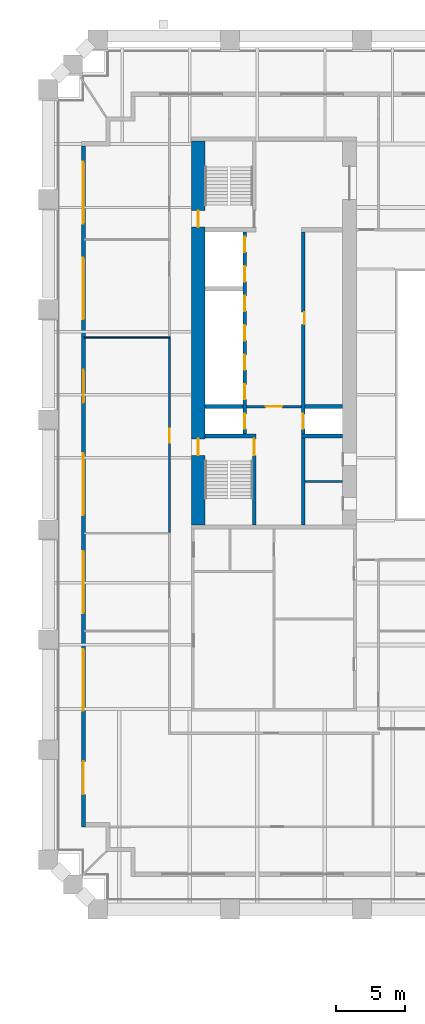
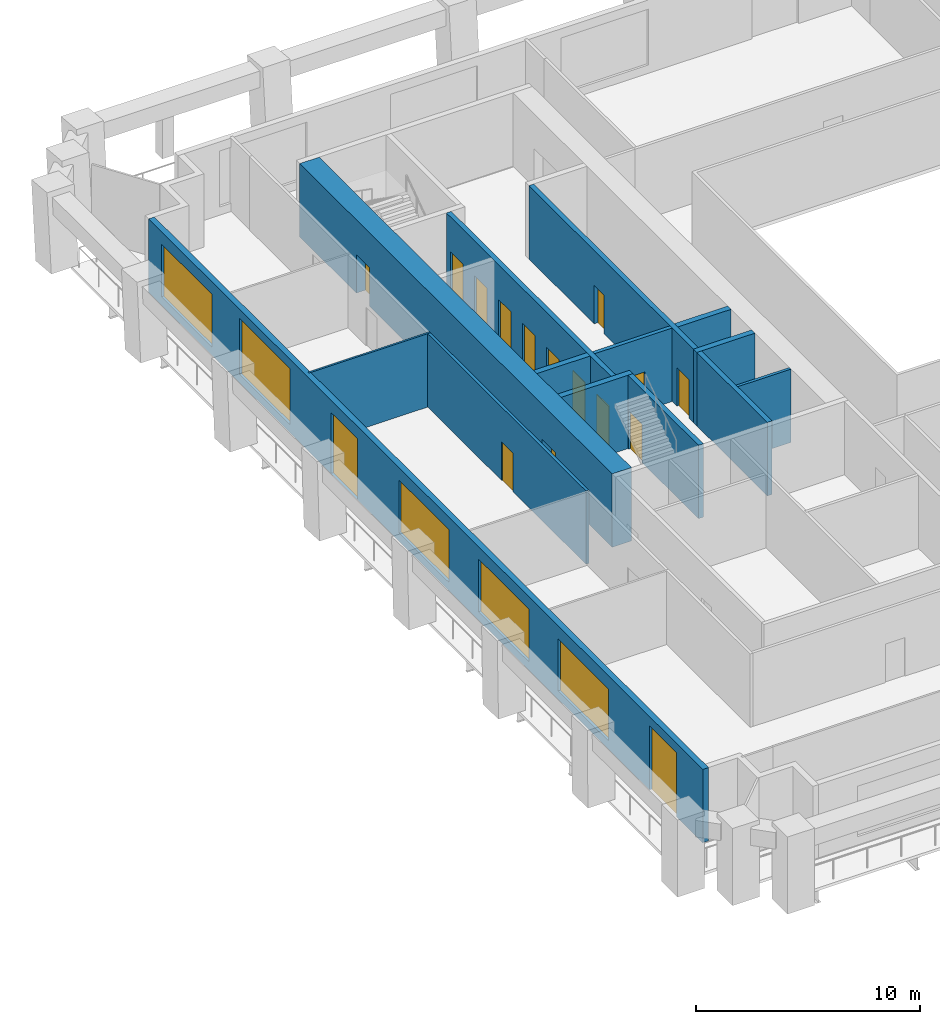
# One storey, part 4 of 10: 16 doors, 13 walls, 5 windows, 21 openings.
"""IFC4 building model written with IfcOpenShell, lengths in metres."""

import ifcopenshell
import ifcopenshell.guid

model = None  # the IFC model being written
_history = None  # IfcOwnerHistory: only IFC2X3 demands one
_inside = {}  # id of a spatial element -> (the spatial element, [elements in it])
_under = {}  # id of a project, library or spatial element -> (it, [spatial elements below it])
_declared = {}  # id of a project -> (the project, [libraries it declares])
_typed = {}  # id of a type object -> (the type object, [elements of that type])
_made_of = {}  # id of a material, layer set ... -> (it, [elements and type objects made of it])


def new_model(schema):
    """Start an empty IFC model of exactly this schema.

    Asked for "IFC4X3", IfcOpenShell would pick the latest addendum, in which some entities
    have other attributes; the version numbers below select the first issue.
    IFC2X3 requires an IfcOwnerHistory on every rooted entity: one is made here for all.
    """
    global model, _history
    if schema == "IFC4X3":
        model = ifcopenshell.file(schema_version=(4, 3, 0, 0))
    else:
        model = ifcopenshell.file(schema=schema)
    _inside.clear()
    _under.clear()
    _declared.clear()
    _typed.clear()
    _made_of.clear()
    _history = None
    if model.schema == "IFC2X3":
        org = make("IfcOrganization", Name="unknown")
        user = make(
            "IfcPersonAndOrganization",
            ThePerson=make("IfcPerson", FamilyName="unknown"),
            TheOrganization=org,
        )
        app = make(
            "IfcApplication",
            ApplicationDeveloper=org,
            Version="unknown",
            ApplicationFullName="unknown",
            ApplicationIdentifier="unknown",
        )
        _history = make(
            "IfcOwnerHistory",
            OwningUser=user,
            OwningApplication=app,
            ChangeAction="ADDED",
            CreationDate=0,
        )
    return model


def make(cls, **values):
    """One entity of the class cls with the attributes given. An attribute that is None is left unset."""
    return model.create_entity(
        cls, **{name: value for name, value in values.items() if value is not None}
    )


def rooted(cls, **values):
    """An entity with a GlobalId (a new one), such as an element, a storey or a relation."""
    return make(cls, GlobalId=ifcopenshell.guid.new(), OwnerHistory=_history, **values)


def si_unit(unit_type, name, prefix=None):
    """IfcSIUnit, for example si_unit("LENGTHUNIT", "METRE", prefix="MILLI")."""
    return make("IfcSIUnit", UnitType=unit_type, Prefix=prefix, Name=name)


def assignment(units):
    """IfcUnitAssignment: the units of a project."""
    return None if units is None else make("IfcUnitAssignment", Units=units)


def point(xyz):
    """IfcCartesianPoint."""
    return None if xyz is None else make("IfcCartesianPoint", Coordinates=xyz)


def direction(xyz):
    """IfcDirection."""
    return None if xyz is None else make("IfcDirection", DirectionRatios=xyz)


def frame(location, z_axis=None, x_axis=None):
    """IfcAxis2Placement3D, a coordinate frame: its origin and axes. An axis left out is left unset."""
    return make(
        "IfcAxis2Placement3D",
        Location=point(location),
        Axis=direction(z_axis),
        RefDirection=direction(x_axis),
    )


def frame_2d(location, x_axis=None):
    """IfcAxis2Placement2D, a coordinate frame in the plane: its origin and x axis."""
    return make(
        "IfcAxis2Placement2D", Location=point(location), RefDirection=direction(x_axis)
    )


def origin():
    """The frame at (0, 0, 0) with its axes left unset."""
    return frame((0.0, 0.0, 0.0))


def place(relative_to, where):
    """IfcLocalPlacement: puts the frame where relative to a parent placement (None: the world)."""
    return make(
        "IfcLocalPlacement", PlacementRelTo=relative_to, RelativePlacement=where
    )


def context(
    kind, dimensions, precision=None, world=None, true_north=None, identifier=None
):
    """IfcGeometricRepresentationContext, for example the 3D "Model" context."""
    return make(
        "IfcGeometricRepresentationContext",
        ContextIdentifier=identifier,
        ContextType=kind,
        CoordinateSpaceDimension=dimensions,
        Precision=precision,
        WorldCoordinateSystem=world,
        TrueNorth=true_north,
    )


def subcontext(parent, identifier, kind, view, scale=None):
    """IfcGeometricRepresentationSubContext, for example "Body" below "Model"."""
    return make(
        "IfcGeometricRepresentationSubContext",
        ContextIdentifier=identifier,
        ContextType=kind,
        ParentContext=parent,
        TargetScale=scale,
        TargetView=view,
    )


def project(units=None, contexts=None):
    """IfcProject with its units and contexts."""
    return rooted(
        "IfcProject",
        Name="project",
        RepresentationContexts=contexts,
        UnitsInContext=assignment(units),
    )


def spatial(cls, under=None, at=None, **own):
    """A site, building, storey or space (cls), placed at a placement, below another one or the project."""
    s = rooted(cls, ObjectPlacement=at, **own)
    if under is not None:
        _under.setdefault(under.id(), (under, []))[1].append(s)
    return s


def profile(cls, at=None, kind="AREA", **sizes):
    """A parametric profile (cls). Its sizes go by their IFC names, for example OverallWidth=200.0."""
    return make(cls, ProfileType=kind, Position=at, **sizes)


def rectangle(**sizes):
    """IfcRectangleProfileDef."""
    return profile("IfcRectangleProfileDef", **sizes)


def extrude(swept, where, along, depth):
    """IfcExtrudedAreaSolid: the profile swept, set in the frame where, extruded along a direction by depth."""
    return make(
        "IfcExtrudedAreaSolid",
        SweptArea=swept,
        Position=where,
        ExtrudedDirection=direction(along),
        Depth=depth,
    )


def shape(context_of_items, identifier, shape_type, items):
    """IfcShapeRepresentation: the items that make up one representation, for example the "Body"."""
    return make(
        "IfcShapeRepresentation",
        ContextOfItems=context_of_items,
        RepresentationIdentifier=identifier,
        RepresentationType=shape_type,
        Items=items,
    )


def material(Name=None, Category=None):
    """IfcMaterial."""
    return make("IfcMaterial", Name=Name, Category=Category)


def layer(
    of_material, thickness, ventilated=None, Name=None, Category=None, Priority=None
):
    """IfcMaterialLayer: one layer of a wall or slab, of a material (None: an air gap)."""
    return make(
        "IfcMaterialLayer",
        Material=of_material,
        LayerThickness=thickness,
        IsVentilated=ventilated,
        Name=Name,
        Category=Category,
        Priority=Priority,
    )


def layer_set(layers, Name=None):
    """IfcMaterialLayerSet."""
    return make("IfcMaterialLayerSet", MaterialLayers=layers, LayerSetName=Name)


def made_of(thing, what):
    """Note that an element or type object is made of a material, layer set ...; save() writes the relation."""
    if what is not None:
        _made_of.setdefault(what.id(), (what, []))[1].append(thing)
    return thing


def type_object(cls, material=None, **own):
    """A type object (cls), such as IfcWallType, which elements share."""
    return made_of(rooted(cls, **own), material)


def element(
    cls,
    number,
    at=None,
    inside=None,
    cuts=None,
    type_object=None,
    material=None,
    context=None,
    identifier="Body",
    shape_type=None,
    held_by="IfcProductDefinitionShape",
    body=None,
    shapes=None,
    **own,
):
    """One element of the class cls, such as IfcWall. Its Tag is "e" and its number.

    at: its placement. inside: the storey or other place that contains it. cuts: it is an
    opening in that element (IfcRelVoidsElement). A single representation is given by context,
    identifier, shape_type and body (its items); several are given by shapes. held_by: the class
    of the entity that holds the representations. save() writes the other relations.
    """
    e = rooted(cls, Tag="e%d" % number, ObjectPlacement=at, **own)
    if body is not None:
        shapes = [shape(context, identifier, shape_type, body)]
    if shapes is not None:
        e.Representation = make(held_by, Representations=shapes)
    if inside is not None:
        _inside.setdefault(inside.id(), (inside, []))[1].append(e)
    if cuts is not None:
        rooted(
            "IfcRelVoidsElement", RelatingBuildingElement=cuts, RelatedOpeningElement=e
        )
    if type_object is not None:
        _typed.setdefault(type_object.id(), (type_object, []))[1].append(e)
    return made_of(e, material)


def fill(opening, filler):
    """IfcRelFillsElement: the door or window that sits in an opening."""
    return rooted(
        "IfcRelFillsElement",
        RelatingOpeningElement=opening,
        RelatedBuildingElement=filler,
    )


def aggregate(whole, parts):
    """IfcRelAggregates: a whole, such as a stair, and the parts it consists of."""
    return rooted("IfcRelAggregates", RelatingObject=whole, RelatedObjects=parts)


def save(model, path):
    """Write the relations noted so far, then the file.

    IfcRelAggregates (storeys below a building ...), IfcRelContainedInSpatialStructure (elements
    in a storey), IfcRelDefinesByType, IfcRelAssociatesMaterial and IfcRelDeclares: one each for
    every whole, place, type object, material and project.
    """
    for whole, parts in _under.values():
        aggregate(whole, parts)
    for where, things in _inside.values():
        rooted(
            "IfcRelContainedInSpatialStructure",
            RelatedElements=things,
            RelatingStructure=where,
        )
    for kind, things in _typed.values():
        rooted("IfcRelDefinesByType", RelatedObjects=things, RelatingType=kind)
    for what, things in _made_of.values():
        rooted("IfcRelAssociatesMaterial", RelatedObjects=things, RelatingMaterial=what)
    for by, libraries in _declared.values():
        rooted("IfcRelDeclares", RelatingContext=by, RelatedDefinitions=libraries)
    model.write(path)


model = new_model("IFC4")

# Units and contexts
model_context = context("Model", 3, precision=1e-05, world=origin(), true_north=direction((0.0, 1.0)))
body_context = subcontext(model_context, "Body", "Model", "MODEL_VIEW")
ifc_project = project(units=[si_unit("LENGTHUNIT", "METRE"), si_unit("AREAUNIT", "SQUARE_METRE"), si_unit("VOLUMEUNIT", "CUBIC_METRE"), si_unit("PLANEANGLEUNIT", "RADIAN"), si_unit("MASSUNIT", "GRAM", prefix="KILO")], contexts=[model_context])

# Site, building, storey
site_placement = place(None, origin())
site = spatial("IfcSite", under=ifc_project, at=site_placement, CompositionType="ELEMENT")
building_placement = place(site_placement, origin())
building = spatial("IfcBuilding", under=site, at=building_placement, Name="Ogive Exchange Tower", CompositionType="ELEMENT")
storey_placement = place(building_placement, frame((0.0, 0.0, 48.0)))
storey = spatial("IfcBuildingStorey", under=building, at=storey_placement, Name="L09", CompositionType="ELEMENT", Elevation=48.0)

# Wall
ifc_material_1 = material(Name="Gypsum board partition")
ifc_layer_1 = layer(ifc_material_1, 0.14990234375)
ifc_layer_set_1 = layer_set([ifc_layer_1], Name="Core room partition 150 gypsum")
wall_type_1 = type_object("IfcWallType", Name="Core room partition 150 gypsum", PredefinedType="PARTITIONING", material=ifc_layer_set_1)
wall_1_placement = place(storey_placement, frame((-13.75, 0.699951171875, 0.0), z_axis=(0.0, 0.0, 1.0), x_axis=(1.0, 0.0, 0.0)))
element("IfcWall", 1, at=wall_1_placement, inside=storey, type_object=wall_type_1, Name="W south room partition", PredefinedType="PARTITIONING", context=body_context, shape_type="SweptSolid", body=[
    extrude(rectangle(XDim=2.75, YDim=0.14990234375, at=frame_2d((1.375, 0.0))), origin(), (0.0, 0.0, 1.0), 4.0),
])

# Wall, opening, door
ifc_material_2 = material(Name="Fire partition EI 60 150")
ifc_layer_2 = layer(ifc_material_2, 0.14990234375)
ifc_layer_set_2 = layer_set([ifc_layer_2], Name="Fire partition EI 60 150")
wall_type_2 = type_object("IfcWallType", Name="Fire partition EI 60 150", PredefinedType="PARTITIONING", material=ifc_layer_set_2)
wall_2_placement = place(storey_placement, frame((-23.60009765625, -3.010009765625, 0.0), z_axis=(0.0, 0.0, 1.0), x_axis=(0.0, 1.0, 0.0)))
wall_2 = element("IfcWall", 2, at=wall_2_placement, inside=storey, type_object=wall_type_2, Name="L09-PWL-009", PredefinedType="PARTITIONING", context=body_context, shape_type="SweptSolid", body=[
    extrude(rectangle(XDim=14.130126953125, YDim=0.14990234375, at=frame_2d((7.06494140625, 0.0))), origin(), (0.0, 0.0, 1.0), 4.0),
])
opening_1_placement = place(wall_2_placement, frame((6.530029296875, 0.0, 0.0)))
opening_1 = element("IfcOpeningElement", 3, at=opening_1_placement, cuts=wall_2, Name="Opening L09-I03", PredefinedType="OPENING", context=body_context, shape_type="SweptSolid", body=[
    extrude(rectangle(XDim=1.0, YDim=2.10009765625, at=frame_2d((0.5, 1.050048828125))), frame((0.0, 0.0849609375, 0.0), z_axis=(0.0, -1.0, 0.0), x_axis=(1.0, 0.0, 0.0)), (0.0, 0.0, 1.0), 0.169921875),
])
ifc_material_3 = material(Name="Fire door FD 30S 1000 x 2100")
door_type_1 = type_object("IfcDoorType", Name="Fire door FD 30S 1000 x 2100", OperationType="NOTDEFINED", PredefinedType="DOOR", material=ifc_material_3)
door_1_placement = place(opening_1_placement, origin())
door_1 = element("IfcDoor", 4, at=door_1_placement, inside=storey, type_object=door_type_1, Name="L09-IDR-003", ObjectType="DT3", OperationType="SINGLE_SWING_RIGHT", OverallHeight=2.10009765625, OverallWidth=1.0, PredefinedType="DOOR", context=body_context, shape_type="SweptSolid", body=[
    extrude(rectangle(XDim=1.0, YDim=2.10009765625, at=frame_2d((0.5, 1.050048828125))), frame((0.0, 0.02490234375, 0.0), z_axis=(0.0, -1.0, 0.0), x_axis=(1.0, 0.0, 0.0)), (0.0, 0.0, 1.0), 0.050048828125),
])
fill(opening_1, door_1)

# Wall, openings, doors, windows
ifc_material_4 = material(Name="Precast concrete C40/50", Category="concrete")
ifc_layer_3 = layer(ifc_material_4, 0.300048828125)
ifc_layer_set_3 = layer_set([ifc_layer_3], Name="Limestone-faced wall 300")
wall_type_3 = type_object("IfcWallType", Name="Limestone-faced wall 300", PredefinedType="STANDARD", material=ifc_layer_set_3)
wall_3_placement = place(storey_placement, frame((-29.85009765625, 25.10009765625, 0.0), z_axis=(0.0, 0.0, 1.0), x_axis=(0.0, -1.0, 0.0)))
wall_3 = element("IfcWall", 5, at=wall_3_placement, inside=storey, type_object=wall_type_3, Name="External wall W4", PredefinedType="STANDARD", context=body_context, shape_type="SweptSolid", body=[
    extrude(rectangle(XDim=49.5, YDim=0.300048828125, at=frame_2d((24.75, 0.0))), origin(), (0.0, 0.0, 1.0), 4.0),
])
opening_2_placement = place(wall_3_placement, frame((1.156982421875, 0.0, 0.449951171875)))
opening_2 = element("IfcOpeningElement", 6, at=opening_2_placement, cuts=wall_3, Name="Opening W1D", PredefinedType="OPENING", context=body_context, shape_type="SweptSolid", body=[
    extrude(rectangle(XDim=4.5, YDim=2.875, at=frame_2d((2.25, 1.4375))), frame((0.0, 0.159912109375, 0.0), z_axis=(0.0, -1.0, 0.0), x_axis=(1.0, 0.0, 0.0)), (0.0, 0.0, 1.0), 0.320068359375),
])
opening_3_placement = place(wall_3_placement, frame((8.121337890625, 0.0, 0.449951171875)))
opening_3 = element("IfcOpeningElement", 7, at=opening_3_placement, cuts=wall_3, Name="Opening W1", PredefinedType="OPENING", context=body_context, shape_type="SweptSolid", body=[
    extrude(rectangle(XDim=4.5, YDim=3.050048828125, at=frame_2d((2.25, 1.52490234375))), frame((0.0, 0.159912109375, 0.0), z_axis=(0.0, -1.0, 0.0), x_axis=(1.0, 0.0, 0.0)), (0.0, 0.0, 1.0), 0.320068359375),
])
opening_4_placement = place(wall_3_placement, frame((16.28564453125, 0.0, 0.0)))
opening_4 = element("IfcOpeningElement", 8, at=opening_4_placement, cuts=wall_3, Name="Opening D1C", PredefinedType="OPENING", context=body_context, shape_type="SweptSolid", body=[
    extrude(rectangle(XDim=2.39990234375, YDim=3.324951171875, at=frame_2d((1.199951171875, 1.66259765625))), frame((0.0, 0.159912109375, 0.0), z_axis=(0.0, -1.0, 0.0), x_axis=(1.0, 0.0, 0.0)), (0.0, 0.0, 1.0), 0.320068359375),
])
opening_5_placement = place(wall_3_placement, frame((22.35009765625, 0.0, 0.449951171875)))
opening_5 = element("IfcOpeningElement", 9, at=opening_5_placement, cuts=wall_3, Name="Opening W1D", PredefinedType="OPENING", context=body_context, shape_type="SweptSolid", body=[
    extrude(rectangle(XDim=4.5, YDim=2.875, at=frame_2d((2.25, 1.4375))), frame((0.0, 0.159912109375, 0.0), z_axis=(0.0, -1.0, 0.0), x_axis=(1.0, 0.0, 0.0)), (0.0, 0.0, 1.0), 0.320068359375),
])
opening_6_placement = place(wall_3_placement, frame((29.464111328125, 0.0, 0.449951171875)))
opening_6 = element("IfcOpeningElement", 10, at=opening_6_placement, cuts=wall_3, Name="Opening W1D", PredefinedType="OPENING", context=body_context, shape_type="SweptSolid", body=[
    extrude(rectangle(XDim=4.5, YDim=2.875, at=frame_2d((2.25, 1.4375))), frame((0.0, 0.159912109375, 0.0), z_axis=(0.0, -1.0, 0.0), x_axis=(1.0, 0.0, 0.0)), (0.0, 0.0, 1.0), 0.320068359375),
])
opening_7_placement = place(wall_3_placement, frame((36.57861328125, 0.0, 0.449951171875)))
opening_7 = element("IfcOpeningElement", 11, at=opening_7_placement, cuts=wall_3, Name="Opening W1E", PredefinedType="OPENING", context=body_context, shape_type="SweptSolid", body=[
    extrude(rectangle(XDim=4.5, YDim=2.824951171875, at=frame_2d((2.25, 1.41259765625))), frame((0.0, 0.159912109375, 0.0), z_axis=(0.0, -1.0, 0.0), x_axis=(1.0, 0.0, 0.0)), (0.0, 0.0, 1.0), 0.320068359375),
])
opening_8_placement = place(wall_3_placement, frame((44.742919921875, 0.0, 0.0)))
opening_8 = element("IfcOpeningElement", 12, at=opening_8_placement, cuts=wall_3, Name="Opening D1", PredefinedType="OPENING", context=body_context, shape_type="SweptSolid", body=[
    extrude(rectangle(XDim=2.39990234375, YDim=3.5, at=frame_2d((1.199951171875, 1.75))), frame((0.0, 0.159912109375, 0.0), z_axis=(0.0, -1.0, 0.0), x_axis=(1.0, 0.0, 0.0)), (0.0, 0.0, 1.0), 0.320068359375),
])
ifc_material_5 = material(Name="Clear glass in bronze frame", Category="glass")
door_type_2 = type_object("IfcDoorType", Name="Sliding loggia door 2400 x 3325", OperationType="DOUBLE_DOOR_SLIDING", PredefinedType="DOOR", material=ifc_material_5)
door_2_placement = place(opening_4_placement, origin())
door_2 = element("IfcDoor", 13, at=door_2_placement, inside=storey, type_object=door_type_2, Name="Loggia door W02", OperationType="DOUBLE_DOOR_SLIDING", OverallHeight=3.324951171875, OverallWidth=2.39990234375, PredefinedType="DOOR", context=body_context, shape_type="SweptSolid", body=[
    extrude(rectangle(XDim=2.39990234375, YDim=3.324951171875, at=frame_2d((1.199951171875, 1.66259765625))), frame((0.0, 0.02490234375, 0.0), z_axis=(0.0, -1.0, 0.0), x_axis=(1.0, 0.0, 0.0)), (0.0, 0.0, 1.0), 0.050048828125),
])
fill(opening_4, door_2)
door_type_3 = type_object("IfcDoorType", Name="Sliding loggia door 2400 x 3500", OperationType="DOUBLE_DOOR_SLIDING", PredefinedType="DOOR", material=ifc_material_5)
door_3_placement = place(opening_8_placement, origin())
door_3 = element("IfcDoor", 14, at=door_3_placement, inside=storey, type_object=door_type_3, Name="Loggia door W06", OperationType="DOUBLE_DOOR_SLIDING", OverallHeight=3.5, OverallWidth=2.39990234375, PredefinedType="DOOR", context=body_context, shape_type="SweptSolid", body=[
    extrude(rectangle(XDim=2.39990234375, YDim=3.5, at=frame_2d((1.199951171875, 1.75))), frame((0.0, 0.02490234375, 0.0), z_axis=(0.0, -1.0, 0.0), x_axis=(1.0, 0.0, 0.0)), (0.0, 0.0, 1.0), 0.050048828125),
])
fill(opening_8, door_3)
window_type_1 = type_object("IfcWindowType", Name="Twin lancet window 4500 x 2825", PartitioningType="DOUBLE_PANEL_VERTICAL", PredefinedType="WINDOW", material=ifc_material_5)
window_1_placement = place(opening_7_placement, origin())
window_1 = element("IfcWindow", 15, at=window_1_placement, inside=storey, type_object=window_type_1, Name="Window W05", OverallHeight=2.824951171875, OverallWidth=4.5, PartitioningType="DOUBLE_PANEL_VERTICAL", PredefinedType="WINDOW", context=body_context, shape_type="SweptSolid", body=[
    extrude(rectangle(XDim=4.5, YDim=2.824951171875, at=frame_2d((2.25, 1.41259765625))), frame((0.0, 0.030029296875, 0.0), z_axis=(0.0, -1.0, 0.0), x_axis=(1.0, 0.0, 0.0)), (0.0, 0.0, 1.0), 0.06005859375),
])
fill(opening_7, window_1)
window_type_2 = type_object("IfcWindowType", Name="Twin lancet window 4500 x 2875", PartitioningType="DOUBLE_PANEL_VERTICAL", PredefinedType="WINDOW", material=ifc_material_5)
window_2_placement = place(opening_2_placement, origin())
window_2 = element("IfcWindow", 16, at=window_2_placement, inside=storey, type_object=window_type_2, Name="Window W00", OverallHeight=2.875, OverallWidth=4.5, PartitioningType="DOUBLE_PANEL_VERTICAL", PredefinedType="WINDOW", context=body_context, shape_type="SweptSolid", body=[
    extrude(rectangle(XDim=4.5, YDim=2.875, at=frame_2d((2.25, 1.4375))), frame((0.0, 0.030029296875, 0.0), z_axis=(0.0, -1.0, 0.0), x_axis=(1.0, 0.0, 0.0)), (0.0, 0.0, 1.0), 0.06005859375),
])
fill(opening_2, window_2)
window_3_placement = place(opening_5_placement, origin())
window_3 = element("IfcWindow", 17, at=window_3_placement, inside=storey, type_object=window_type_2, Name="Window W03", OverallHeight=2.875, OverallWidth=4.5, PartitioningType="DOUBLE_PANEL_VERTICAL", PredefinedType="WINDOW", context=body_context, shape_type="SweptSolid", body=[
    extrude(rectangle(XDim=4.5, YDim=2.875, at=frame_2d((2.25, 1.4375))), frame((0.0, 0.030029296875, 0.0), z_axis=(0.0, -1.0, 0.0), x_axis=(1.0, 0.0, 0.0)), (0.0, 0.0, 1.0), 0.06005859375),
])
fill(opening_5, window_3)
window_4_placement = place(opening_6_placement, origin())
window_4 = element("IfcWindow", 18, at=window_4_placement, inside=storey, type_object=window_type_2, Name="Window W04", OverallHeight=2.875, OverallWidth=4.5, PartitioningType="DOUBLE_PANEL_VERTICAL", PredefinedType="WINDOW", context=body_context, shape_type="SweptSolid", body=[
    extrude(rectangle(XDim=4.5, YDim=2.875, at=frame_2d((2.25, 1.4375))), frame((0.0, 0.030029296875, 0.0), z_axis=(0.0, -1.0, 0.0), x_axis=(1.0, 0.0, 0.0)), (0.0, 0.0, 1.0), 0.06005859375),
])
fill(opening_6, window_4)
window_type_3 = type_object("IfcWindowType", Name="Twin lancet window 4500 x 3050", PartitioningType="DOUBLE_PANEL_VERTICAL", PredefinedType="WINDOW", material=ifc_material_5)
window_5_placement = place(opening_3_placement, origin())
window_5 = element("IfcWindow", 19, at=window_5_placement, inside=storey, type_object=window_type_3, Name="Window W01", OverallHeight=3.050048828125, OverallWidth=4.5, PartitioningType="DOUBLE_PANEL_VERTICAL", PredefinedType="WINDOW", context=body_context, shape_type="SweptSolid", body=[
    extrude(rectangle(XDim=4.5, YDim=3.050048828125, at=frame_2d((2.25, 1.52490234375))), frame((0.0, 0.030029296875, 0.0), z_axis=(0.0, -1.0, 0.0), x_axis=(1.0, 0.0, 0.0)), (0.0, 0.0, 1.0), 0.06005859375),
])
fill(opening_3, window_5)

# Wall
ifc_material_6 = material(Name="Partition 100 gypsum")
ifc_layer_4 = layer(ifc_material_6, 0.10009765625)
ifc_layer_set_4 = layer_set([ifc_layer_4], Name="Partition 100 gypsum")
wall_type_4 = type_object("IfcWallType", Name="Partition 100 gypsum", PredefinedType="PARTITIONING", material=ifc_layer_set_4)
wall_4_placement = place(storey_placement, frame((-29.800048828125, 11.169921875, 0.0), z_axis=(0.0, 0.0, 1.0), x_axis=(1.0, 0.0, 0.0)))
element("IfcWall", 20, at=wall_4_placement, inside=storey, type_object=wall_type_4, Name="L09-PWL-002", PredefinedType="PARTITIONING", context=body_context, shape_type="SweptSolid", body=[
    extrude(rectangle(XDim=6.275146484375, YDim=0.10009765625, at=frame_2d((3.1376953125, 0.0))), origin(), (0.0, 0.0, 1.0), 4.0),
])

# Wall, openings, doors
ifc_material_7 = material(Name="Concrete C70/85", Category="concrete")
ifc_layer_5 = layer(ifc_material_7, 1.0)
ifc_layer_set_5 = layer_set([ifc_layer_5], Name="RC core wall 1000 C70/85")
wall_type_5 = type_object("IfcWallType", Name="RC core wall 1000 C70/85", PredefinedType="SHEAR", material=ifc_layer_set_5)
wall_5_placement = place(storey_placement, frame((-21.5, -2.449951171875, 0.0), z_axis=(0.0, 0.0, 1.0), x_axis=(0.0, 1.0, 0.0)))
wall_5 = element("IfcWall", 21, at=wall_5_placement, inside=storey, type_object=wall_type_5, Name="W outer wall", PredefinedType="SHEAR", context=body_context, shape_type="SweptSolid", body=[
    extrude(rectangle(XDim=27.89990234375, YDim=1.0, at=frame_2d((13.949951171875, 0.0))), origin(), (0.0, 0.0, 1.0), 4.0),
])
opening_9_placement = place(wall_5_placement, frame((5.050048828125, 0.0, 0.0)))
opening_9 = element("IfcOpeningElement", 22, at=opening_9_placement, cuts=wall_5, Name="Opening L09-C13", PredefinedType="OPENING", context=body_context, shape_type="SweptSolid", body=[
    extrude(rectangle(XDim=1.199951171875, YDim=2.10009765625, at=frame_2d((0.60009765625, 1.050048828125))), frame((0.0, 0.510009765625, 0.0), z_axis=(0.0, -1.0, 0.0), x_axis=(1.0, 0.0, 0.0)), (0.0, 0.0, 1.0), 1.02001953125),
])
opening_10_placement = place(wall_5_placement, frame((21.64990234375, 0.0, 0.0)))
opening_10 = element("IfcOpeningElement", 23, at=opening_10_placement, cuts=wall_5, Name="Opening L09-C15", PredefinedType="OPENING", context=body_context, shape_type="SweptSolid", body=[
    extrude(rectangle(XDim=1.199951171875, YDim=2.10009765625, at=frame_2d((0.60009765625, 1.050048828125))), frame((0.0, 0.510009765625, 0.0), z_axis=(0.0, -1.0, 0.0), x_axis=(1.0, 0.0, 0.0)), (0.0, 0.0, 1.0), 1.02001953125),
])
ifc_material_8 = material(Name="Steel fire door", Category="steel")
door_type_4 = type_object("IfcDoorType", Name="Stair door FD90 1200 x 2100", OperationType="NOTDEFINED", PredefinedType="DOOR", material=ifc_material_8)
door_4_placement = place(opening_9_placement, frame((1.199951171875, 0.0, 0.0), z_axis=(0.0, 0.0, 1.0), x_axis=(-1.0, 0.0, 0.0)))
door_4 = element("IfcDoor", 24, at=door_4_placement, inside=storey, type_object=door_type_4, Name="Stair door", ObjectType="CD5", OperationType="SINGLE_SWING_RIGHT", OverallHeight=2.10009765625, OverallWidth=1.199951171875, PredefinedType="DOOR", context=body_context, shape_type="SweptSolid", body=[
    extrude(rectangle(XDim=1.199951171875, YDim=2.10009765625, at=frame_2d((0.60009765625, 1.050048828125))), frame((0.0, 0.02490234375, 0.0), z_axis=(0.0, -1.0, 0.0), x_axis=(1.0, 0.0, 0.0)), (0.0, 0.0, 1.0), 0.050048828125),
])
fill(opening_9, door_4)
door_5_placement = place(opening_10_placement, frame((1.199951171875, 0.0, 0.0), z_axis=(0.0, 0.0, 1.0), x_axis=(-1.0, 0.0, 0.0)))
door_5 = element("IfcDoor", 25, at=door_5_placement, inside=storey, type_object=door_type_4, Name="Stair door", ObjectType="CD5", OperationType="SINGLE_SWING_LEFT", OverallHeight=2.10009765625, OverallWidth=1.199951171875, PredefinedType="DOOR", context=body_context, shape_type="SweptSolid", body=[
    extrude(rectangle(XDim=1.199951171875, YDim=2.10009765625, at=frame_2d((0.60009765625, 1.050048828125))), frame((0.0, 0.02490234375, 0.0), z_axis=(0.0, -1.0, 0.0), x_axis=(1.0, 0.0, 0.0)), (0.0, 0.0, 1.0), 0.050048828125),
])
fill(opening_10, door_5)

# Wall, opening, door
ifc_layer_6 = layer(ifc_material_7, 0.199951171875)
ifc_layer_set_6 = layer_set([ifc_layer_6], Name="RC core wall 200 C70/85")
wall_type_6 = type_object("IfcWallType", Name="RC core wall 200 C70/85", PredefinedType="SHEAR", material=ifc_layer_set_6)
wall_6_placement = place(storey_placement, frame((-18.0, 6.142822265625, 0.0), z_axis=(0.0, 0.0, 1.0), x_axis=(1.0, 0.0, 0.0)))
wall_6 = element("IfcWall", 26, at=wall_6_placement, inside=storey, type_object=wall_type_6, Name="W firefighting lobby wall", PredefinedType="SHEAR", context=body_context, shape_type="SweptSolid", body=[
    extrude(rectangle(XDim=4.0, YDim=0.199951171875, at=frame_2d((2.0, 0.0))), origin(), (0.0, 0.0, 1.0), 4.0),
])
opening_11_placement = place(wall_6_placement, frame((1.39990234375, 0.0, 0.0)))
opening_11 = element("IfcOpeningElement", 27, at=opening_11_placement, cuts=wall_6, Name="Opening L09-C10", PredefinedType="OPENING", context=body_context, shape_type="SweptSolid", body=[
    extrude(rectangle(XDim=1.199951171875, YDim=2.10009765625, at=frame_2d((0.60009765625, 1.050048828125))), frame((0.0, 0.10986328125, 0.0), z_axis=(0.0, -1.0, 0.0), x_axis=(1.0, 0.0, 0.0)), (0.0, 0.0, 1.0), 0.219970703125),
])
door_type_5 = type_object("IfcDoorType", Name="Firefighting lobby door FD60 1200 x 2100", OperationType="NOTDEFINED", PredefinedType="DOOR", material=ifc_material_8)
door_6_placement = place(opening_11_placement, frame((1.199951171875, 0.0, 0.0), z_axis=(0.0, 0.0, 1.0), x_axis=(-1.0, 0.0, 0.0)))
door_6 = element("IfcDoor", 28, at=door_6_placement, inside=storey, type_object=door_type_5, Name="Firefighting lobby door", ObjectType="CD3", OperationType="SINGLE_SWING_RIGHT", OverallHeight=2.10009765625, OverallWidth=1.199951171875, PredefinedType="DOOR", context=body_context, shape_type="SweptSolid", body=[
    extrude(rectangle(XDim=1.199951171875, YDim=2.10009765625, at=frame_2d((0.60009765625, 1.050048828125))), frame((0.0, 0.02490234375, 0.0), z_axis=(0.0, -1.0, 0.0), x_axis=(1.0, 0.0, 0.0)), (0.0, 0.0, 1.0), 0.050048828125),
])
fill(opening_11, door_6)

ifc_layer_7 = layer(ifc_material_7, 0.25)
ifc_layer_set_7 = layer_set([ifc_layer_7], Name="RC core wall 250 C70/85")
wall_type_7 = type_object("IfcWallType", Name="RC core wall 250 C70/85", PredefinedType="SHEAR", material=ifc_layer_set_7)
wall_7_placement = place(storey_placement, frame((-17.425048828125, -2.449951171875, 0.0), z_axis=(0.0, 0.0, 1.0), x_axis=(0.0, 1.0, 0.0)))
wall_7 = element("IfcWall", 29, at=wall_7_placement, inside=storey, type_object=wall_type_7, Name="W stair S front wall", PredefinedType="SHEAR", context=body_context, shape_type="SweptSolid", body=[
    extrude(rectangle(XDim=6.300048828125, YDim=0.25, at=frame_2d((3.14990234375, 0.0))), origin(), (0.0, 0.0, 1.0), 4.0),
])
opening_12_placement = place(wall_7_placement, frame((5.050048828125, 0.0, 0.0)))
opening_12 = element("IfcOpeningElement", 30, at=opening_12_placement, cuts=wall_7, Name="Opening L09-C12", PredefinedType="OPENING", context=body_context, shape_type="SweptSolid", body=[
    extrude(rectangle(XDim=1.199951171875, YDim=2.10009765625, at=frame_2d((0.60009765625, 1.050048828125))), frame((0.0, 0.135009765625, 0.0), z_axis=(0.0, -1.0, 0.0), x_axis=(1.0, 0.0, 0.0)), (0.0, 0.0, 1.0), 0.27001953125),
])
door_7_placement = place(opening_12_placement, origin())
door_7 = element("IfcDoor", 31, at=door_7_placement, inside=storey, type_object=door_type_4, Name="Stair door", ObjectType="CD5", OperationType="SINGLE_SWING_LEFT", OverallHeight=2.10009765625, OverallWidth=1.199951171875, PredefinedType="DOOR", context=body_context, shape_type="SweptSolid", body=[
    extrude(rectangle(XDim=1.199951171875, YDim=2.10009765625, at=frame_2d((0.60009765625, 1.050048828125))), frame((0.0, 0.02490234375, 0.0), z_axis=(0.0, -1.0, 0.0), x_axis=(1.0, 0.0, 0.0)), (0.0, 0.0, 1.0), 0.050048828125),
])
fill(opening_12, door_7)

# Wall, openings, doors
wall_8_placement = place(storey_placement, frame((-18.125, 4.14990234375, 0.0), z_axis=(0.0, 0.0, 1.0), x_axis=(0.0, 1.0, 0.0)))
wall_8 = element("IfcWall", 32, at=wall_8_placement, inside=storey, type_object=wall_type_7, Name="W row A front wall", PredefinedType="SHEAR", context=body_context, shape_type="SweptSolid", body=[
    extrude(rectangle(XDim=14.7001953125, YDim=0.25, at=frame_2d((7.35009765625, 0.0))), origin(), (0.0, 0.0, 1.0), 4.0),
])
opening_13_placement = place(wall_8_placement, frame((0.371337890625, 0.0, 0.0)))
opening_13 = element("IfcOpeningElement", 33, at=opening_13_placement, cuts=wall_8, Name="Opening L09-C01", PredefinedType="OPENING", context=body_context, shape_type="SweptSolid", body=[
    extrude(rectangle(XDim=1.10009765625, YDim=2.10009765625, at=frame_2d((0.550048828125, 1.050048828125))), frame((0.0, 0.135009765625, 0.0), z_axis=(0.0, -1.0, 0.0), x_axis=(1.0, 0.0, 0.0)), (0.0, 0.0, 1.0), 0.27001953125),
])
opening_14_placement = place(wall_8_placement, frame((2.514404296875, 0.0, 0.0)))
opening_14 = element("IfcOpeningElement", 34, at=opening_14_placement, cuts=wall_8, Name="Opening L09-C02", PredefinedType="OPENING", context=body_context, shape_type="SweptSolid", body=[
    extrude(rectangle(XDim=1.10009765625, YDim=2.10009765625, at=frame_2d((0.550048828125, 1.050048828125))), frame((0.0, 0.135009765625, 0.0), z_axis=(0.0, -1.0, 0.0), x_axis=(1.0, 0.0, 0.0)), (0.0, 0.0, 1.0), 0.27001953125),
])
opening_15_placement = place(wall_8_placement, frame((4.656982421875, 0.0, 0.0)))
opening_15 = element("IfcOpeningElement", 35, at=opening_15_placement, cuts=wall_8, Name="Opening L09-C03", PredefinedType="OPENING", context=body_context, shape_type="SweptSolid", body=[
    extrude(rectangle(XDim=1.10009765625, YDim=2.10009765625, at=frame_2d((0.550048828125, 1.050048828125))), frame((0.0, 0.135009765625, 0.0), z_axis=(0.0, -1.0, 0.0), x_axis=(1.0, 0.0, 0.0)), (0.0, 0.0, 1.0), 0.27001953125),
])
opening_16_placement = place(wall_8_placement, frame((6.800048828125, 0.0, 0.0)))
opening_16 = element("IfcOpeningElement", 36, at=opening_16_placement, cuts=wall_8, Name="Opening L09-C04", PredefinedType="OPENING", context=body_context, shape_type="SweptSolid", body=[
    extrude(rectangle(XDim=1.10009765625, YDim=2.10009765625, at=frame_2d((0.550048828125, 1.050048828125))), frame((0.0, 0.135009765625, 0.0), z_axis=(0.0, -1.0, 0.0), x_axis=(1.0, 0.0, 0.0)), (0.0, 0.0, 1.0), 0.27001953125),
])
opening_17_placement = place(wall_8_placement, frame((8.94287109375, 0.0, 0.0)))
opening_17 = element("IfcOpeningElement", 37, at=opening_17_placement, cuts=wall_8, Name="Opening L09-C05", PredefinedType="OPENING", context=body_context, shape_type="SweptSolid", body=[
    extrude(rectangle(XDim=1.10009765625, YDim=2.10009765625, at=frame_2d((0.550048828125, 1.050048828125))), frame((0.0, 0.135009765625, 0.0), z_axis=(0.0, -1.0, 0.0), x_axis=(1.0, 0.0, 0.0)), (0.0, 0.0, 1.0), 0.27001953125),
])
opening_18_placement = place(wall_8_placement, frame((11.085693359375, 0.0, 0.0)))
opening_18 = element("IfcOpeningElement", 38, at=opening_18_placement, cuts=wall_8, Name="Opening L09-C06", PredefinedType="OPENING", context=body_context, shape_type="SweptSolid", body=[
    extrude(rectangle(XDim=1.10009765625, YDim=2.10009765625, at=frame_2d((0.550048828125, 1.050048828125))), frame((0.0, 0.135009765625, 0.0), z_axis=(0.0, -1.0, 0.0), x_axis=(1.0, 0.0, 0.0)), (0.0, 0.0, 1.0), 0.27001953125),
])
opening_19_placement = place(wall_8_placement, frame((13.228515625, 0.0, 0.0)))
opening_19 = element("IfcOpeningElement", 39, at=opening_19_placement, cuts=wall_8, Name="Opening L09-C07", PredefinedType="OPENING", context=body_context, shape_type="SweptSolid", body=[
    extrude(rectangle(XDim=1.10009765625, YDim=2.10009765625, at=frame_2d((0.550048828125, 1.050048828125))), frame((0.0, 0.135009765625, 0.0), z_axis=(0.0, -1.0, 0.0), x_axis=(1.0, 0.0, 0.0)), (0.0, 0.0, 1.0), 0.27001953125),
])
ifc_material_9 = material(Name="Stainless steel", Category="steel")
door_type_6 = type_object("IfcDoorType", Name="Lift landing door FD90 1100 x 2100", OperationType="SLIDING_TO_LEFT", PredefinedType="DOOR", material=ifc_material_9)
door_8_placement = place(opening_13_placement, origin())
door_8 = element("IfcDoor", 40, at=door_8_placement, inside=storey, type_object=door_type_6, Name="Lift landing door FF1", ObjectType="LD", OperationType="SLIDING_TO_LEFT", OverallHeight=2.10009765625, OverallWidth=1.10009765625, PredefinedType="DOOR", context=body_context, shape_type="SweptSolid", body=[
    extrude(rectangle(XDim=1.10009765625, YDim=2.10009765625, at=frame_2d((0.550048828125, 1.050048828125))), frame((0.0, 0.02490234375, 0.0), z_axis=(0.0, -1.0, 0.0), x_axis=(1.0, 0.0, 0.0)), (0.0, 0.0, 1.0), 0.050048828125),
])
fill(opening_13, door_8)
door_9_placement = place(opening_14_placement, origin())
door_9 = element("IfcDoor", 41, at=door_9_placement, inside=storey, type_object=door_type_6, Name="Lift landing door W-L1", ObjectType="LD", OperationType="SLIDING_TO_LEFT", OverallHeight=2.10009765625, OverallWidth=1.10009765625, PredefinedType="DOOR", context=body_context, shape_type="SweptSolid", body=[
    extrude(rectangle(XDim=1.10009765625, YDim=2.10009765625, at=frame_2d((0.550048828125, 1.050048828125))), frame((0.0, 0.02490234375, 0.0), z_axis=(0.0, -1.0, 0.0), x_axis=(1.0, 0.0, 0.0)), (0.0, 0.0, 1.0), 0.050048828125),
])
fill(opening_14, door_9)
door_10_placement = place(opening_15_placement, origin())
door_10 = element("IfcDoor", 42, at=door_10_placement, inside=storey, type_object=door_type_6, Name="Lift landing door W-L2", ObjectType="LD", OperationType="SLIDING_TO_LEFT", OverallHeight=2.10009765625, OverallWidth=1.10009765625, PredefinedType="DOOR", context=body_context, shape_type="SweptSolid", body=[
    extrude(rectangle(XDim=1.10009765625, YDim=2.10009765625, at=frame_2d((0.550048828125, 1.050048828125))), frame((0.0, 0.02490234375, 0.0), z_axis=(0.0, -1.0, 0.0), x_axis=(1.0, 0.0, 0.0)), (0.0, 0.0, 1.0), 0.050048828125),
])
fill(opening_15, door_10)
door_11_placement = place(opening_16_placement, origin())
door_11 = element("IfcDoor", 43, at=door_11_placement, inside=storey, type_object=door_type_6, Name="Lift landing door W-L3", ObjectType="LD", OperationType="SLIDING_TO_LEFT", OverallHeight=2.10009765625, OverallWidth=1.10009765625, PredefinedType="DOOR", context=body_context, shape_type="SweptSolid", body=[
    extrude(rectangle(XDim=1.10009765625, YDim=2.10009765625, at=frame_2d((0.550048828125, 1.050048828125))), frame((0.0, 0.02490234375, 0.0), z_axis=(0.0, -1.0, 0.0), x_axis=(1.0, 0.0, 0.0)), (0.0, 0.0, 1.0), 0.050048828125),
])
fill(opening_16, door_11)
door_12_placement = place(opening_17_placement, origin())
door_12 = element("IfcDoor", 44, at=door_12_placement, inside=storey, type_object=door_type_6, Name="Lift landing door W-L4", ObjectType="LD", OperationType="SLIDING_TO_LEFT", OverallHeight=2.10009765625, OverallWidth=1.10009765625, PredefinedType="DOOR", context=body_context, shape_type="SweptSolid", body=[
    extrude(rectangle(XDim=1.10009765625, YDim=2.10009765625, at=frame_2d((0.550048828125, 1.050048828125))), frame((0.0, 0.02490234375, 0.0), z_axis=(0.0, -1.0, 0.0), x_axis=(1.0, 0.0, 0.0)), (0.0, 0.0, 1.0), 0.050048828125),
])
fill(opening_17, door_12)
door_13_placement = place(opening_18_placement, origin())
door_13 = element("IfcDoor", 45, at=door_13_placement, inside=storey, type_object=door_type_6, Name="Lift landing door W-SH1", ObjectType="LD", OperationType="SLIDING_TO_LEFT", OverallHeight=2.10009765625, OverallWidth=1.10009765625, PredefinedType="DOOR", context=body_context, shape_type="SweptSolid", body=[
    extrude(rectangle(XDim=1.10009765625, YDim=2.10009765625, at=frame_2d((0.550048828125, 1.050048828125))), frame((0.0, 0.02490234375, 0.0), z_axis=(0.0, -1.0, 0.0), x_axis=(1.0, 0.0, 0.0)), (0.0, 0.0, 1.0), 0.050048828125),
])
fill(opening_18, door_13)
door_14_placement = place(opening_19_placement, origin())
door_14 = element("IfcDoor", 46, at=door_14_placement, inside=storey, type_object=door_type_6, Name="Lift landing door W-SH2", ObjectType="LD", OperationType="SLIDING_TO_LEFT", OverallHeight=2.10009765625, OverallWidth=1.10009765625, PredefinedType="DOOR", context=body_context, shape_type="SweptSolid", body=[
    extrude(rectangle(XDim=1.10009765625, YDim=2.10009765625, at=frame_2d((0.550048828125, 1.050048828125))), frame((0.0, 0.02490234375, 0.0), z_axis=(0.0, -1.0, 0.0), x_axis=(1.0, 0.0, 0.0)), (0.0, 0.0, 1.0), 0.050048828125),
])
fill(opening_19, door_14)

wall_9_placement = place(storey_placement, frame((-13.875, -2.449951171875, 0.0), z_axis=(0.0, 0.0, 1.0), x_axis=(0.0, 1.0, 0.0)))
wall_9 = element("IfcWall", 47, at=wall_9_placement, inside=storey, type_object=wall_type_7, Name="W row B front wall", PredefinedType="SHEAR", context=body_context, shape_type="SweptSolid", body=[
    extrude(rectangle(XDim=21.300048828125, YDim=0.25, at=frame_2d((10.64990234375, 0.0))), origin(), (0.0, 0.0, 1.0), 4.0),
])
opening_20_placement = place(wall_9_placement, frame((14.5712890625, 0.0, 0.0)))
opening_20 = element("IfcOpeningElement", 48, at=opening_20_placement, cuts=wall_9, Name="Opening L09-C08", PredefinedType="OPENING", context=body_context, shape_type="SweptSolid", body=[
    extrude(rectangle(XDim=0.89990234375, YDim=2.10009765625, at=frame_2d((0.449951171875, 1.050048828125))), frame((0.0, 0.135009765625, 0.0), z_axis=(0.0, -1.0, 0.0), x_axis=(1.0, 0.0, 0.0)), (0.0, 0.0, 1.0), 0.27001953125),
])
opening_21_placement = place(wall_9_placement, frame((6.971435546875, 0.0, 0.0)))
opening_21 = element("IfcOpeningElement", 49, at=opening_21_placement, cuts=wall_9, Name="Opening L09-C09", PredefinedType="OPENING", context=body_context, shape_type="SweptSolid", body=[
    extrude(rectangle(XDim=1.10009765625, YDim=2.10009765625, at=frame_2d((0.550048828125, 1.050048828125))), frame((0.0, 0.135009765625, 0.0), z_axis=(0.0, -1.0, 0.0), x_axis=(1.0, 0.0, 0.0)), (0.0, 0.0, 1.0), 0.27001953125),
])
door_15_placement = place(opening_21_placement, origin())
door_15 = element("IfcDoor", 50, at=door_15_placement, inside=storey, type_object=door_type_6, Name="Lift landing door SV1", ObjectType="LD", OperationType="SLIDING_TO_LEFT", OverallHeight=2.10009765625, OverallWidth=1.10009765625, PredefinedType="DOOR", context=body_context, shape_type="SweptSolid", body=[
    extrude(rectangle(XDim=1.10009765625, YDim=2.10009765625, at=frame_2d((0.550048828125, 1.050048828125))), frame((0.0, 0.02490234375, 0.0), z_axis=(0.0, -1.0, 0.0), x_axis=(1.0, 0.0, 0.0)), (0.0, 0.0, 1.0), 0.050048828125),
])
fill(opening_21, door_15)
door_type_7 = type_object("IfcDoorType", Name="Riser door FD60 900 x 2100", OperationType="NOTDEFINED", PredefinedType="DOOR", material=ifc_material_8)
door_16_placement = place(opening_20_placement, frame((0.89990234375, -0.2001953125, 0.0), z_axis=(0.0, 0.0, 1.0), x_axis=(-1.0, 0.0, 0.0)))
door_16 = element("IfcDoor", 51, at=door_16_placement, inside=storey, type_object=door_type_7, Name="Riser door", ObjectType="CD2", OperationType="SINGLE_SWING_LEFT", OverallHeight=2.10009765625, OverallWidth=0.89990234375, PredefinedType="DOOR", context=body_context, shape_type="SweptSolid", body=[
    extrude(rectangle(XDim=0.89990234375, YDim=2.10009765625, at=frame_2d((0.449951171875, 1.050048828125))), frame((0.0, -0.0751953125, 0.0), z_axis=(0.0, -1.0, 0.0), x_axis=(1.0, 0.0, 0.0)), (0.0, 0.0, 1.0), 0.050048828125),
])
fill(opening_20, door_16)

# Walls
ifc_layer_8 = layer(ifc_material_7, 0.300048828125)
ifc_layer_set_8 = layer_set([ifc_layer_8], Name="RC core wall 300 C70/85")
wall_type_8 = type_object("IfcWallType", Name="RC core wall 300 C70/85", PredefinedType="SHEAR", material=ifc_layer_set_8)
wall_10_placement = place(storey_placement, frame((-21.0, 4.0, 0.0), z_axis=(0.0, 0.0, 1.0), x_axis=(1.0, 0.0, 0.0)))
element("IfcWall", 52, at=wall_10_placement, inside=storey, type_object=wall_type_8, Name="W stair S north wall", PredefinedType="SHEAR", context=body_context, shape_type="SweptSolid", body=[
    extrude(rectangle(XDim=3.699951171875, YDim=0.300048828125, at=frame_2d((1.85009765625, 0.0))), origin(), (0.0, 0.0, 1.0), 4.0),
])
wall_11_placement = place(storey_placement, frame((-21.0, 6.142822265625, 0.0), z_axis=(0.0, 0.0, 1.0), x_axis=(1.0, 0.0, 0.0)))
element("IfcWall", 53, at=wall_11_placement, inside=storey, type_object=wall_type_8, Name="W row A divider 1", PredefinedType="SHEAR", context=body_context, shape_type="SweptSolid", body=[
    extrude(rectangle(XDim=2.75, YDim=0.300048828125, at=frame_2d((1.375, 0.0))), origin(), (0.0, 0.0, 1.0), 4.0),
])
wall_12_placement = place(storey_placement, frame((-14.0, 4.0, 0.0), z_axis=(0.0, 0.0, 1.0), x_axis=(1.0, 0.0, 0.0)))
element("IfcWall", 54, at=wall_12_placement, inside=storey, type_object=wall_type_8, Name="W row B divider 0", PredefinedType="SHEAR", context=body_context, shape_type="SweptSolid", body=[
    extrude(rectangle(XDim=3.0, YDim=0.300048828125, at=frame_2d((1.5, 0.0))), origin(), (0.0, 0.0, 1.0), 4.0),
])
wall_13_placement = place(storey_placement, frame((-13.75, 6.142822265625, 0.0), z_axis=(0.0, 0.0, 1.0), x_axis=(1.0, 0.0, 0.0)))
element("IfcWall", 55, at=wall_13_placement, inside=storey, type_object=wall_type_8, Name="W row B divider 1", PredefinedType="SHEAR", context=body_context, shape_type="SweptSolid", body=[
    extrude(rectangle(XDim=2.75, YDim=0.300048828125, at=frame_2d((1.375, 0.0))), origin(), (0.0, 0.0, 1.0), 4.0),
])

save(model, "model.ifc")
